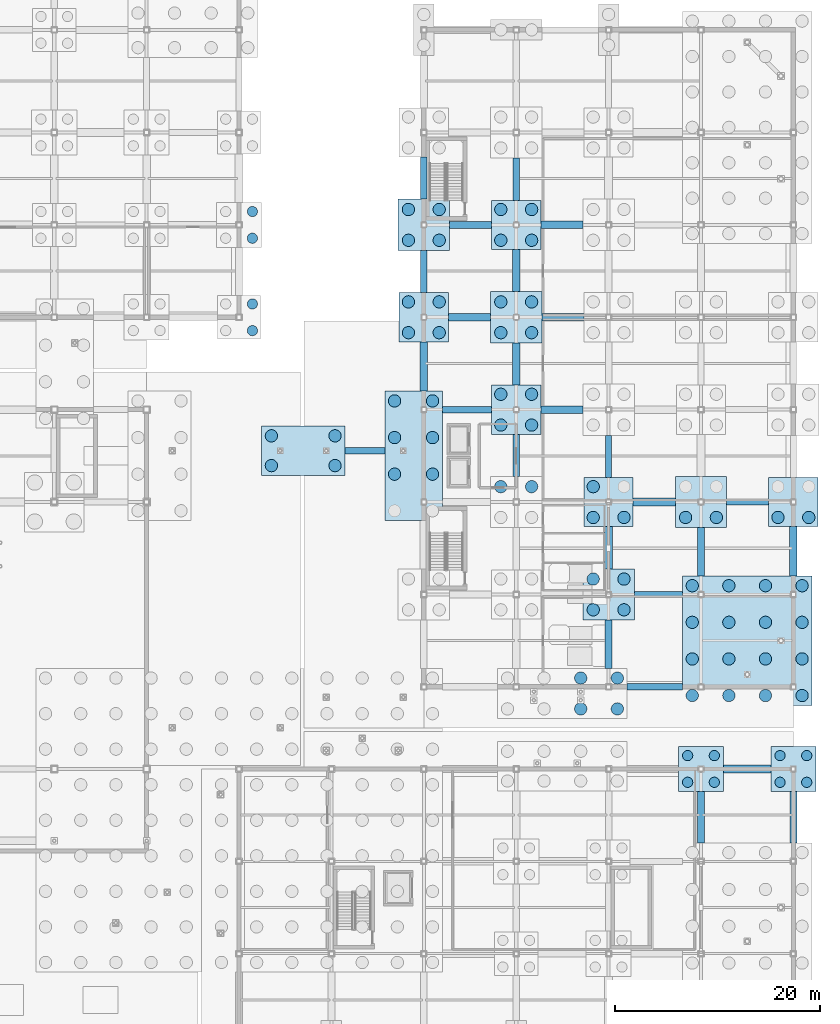
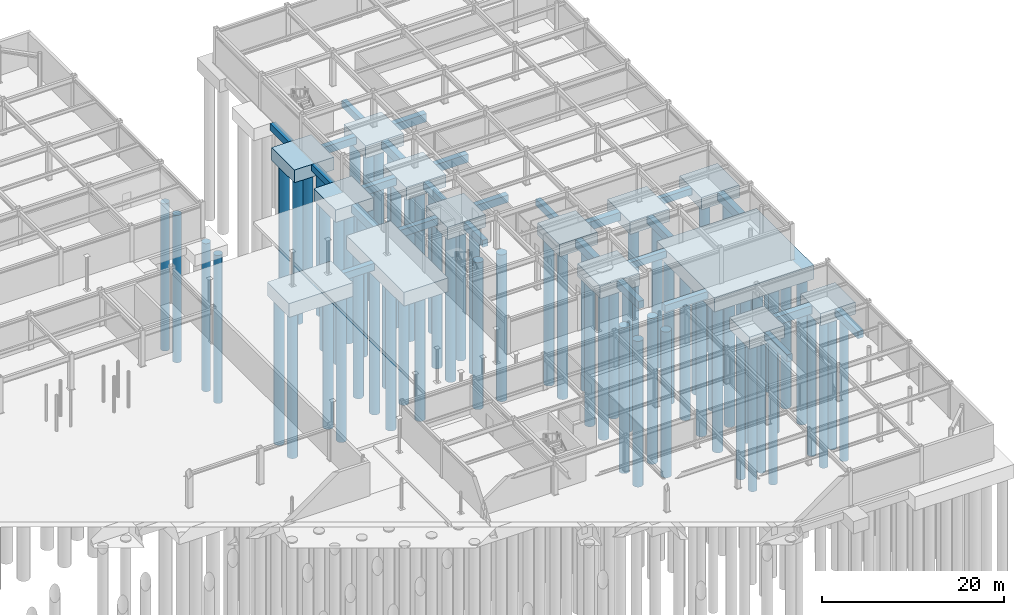
# One storey, part 10 of 74: 75 piles, 40 footings.
"""IFC4 building model written with IfcOpenShell, lengths in metres."""

from ifc_helpers import new_model, si_unit, direction, frame, origin, origin_2d, place, context, subcontext, project, spatial, polyline, rectangle, circle, outline, extrude, material, material_profile, profile_set, type_object, element, save


model = new_model("IFC4")

# Units and contexts
model_context = context("Model", 3, precision=1e-05, world=origin(), true_north=direction((0.0, 1.0)))
body_context = subcontext(model_context, "Body", "Model", "MODEL_VIEW")
ifc_project = project(units=[si_unit("LENGTHUNIT", "METRE"), si_unit("AREAUNIT", "SQUARE_METRE"), si_unit("VOLUMEUNIT", "CUBIC_METRE"), si_unit("PLANEANGLEUNIT", "RADIAN"), si_unit("MASSUNIT", "GRAM", prefix="KILO")], contexts=[model_context])

# Site, building, storey
site_placement = place(None, origin())
site = spatial("IfcSite", under=ifc_project, at=site_placement, CompositionType="ELEMENT")
building_placement = place(site_placement, origin())
building = spatial("IfcBuilding", under=site, at=building_placement, Name="Suzunagisa Mobility Hub", CompositionType="ELEMENT")
storey_placement = place(building_placement, frame((0.0, 0.0, -4.800048828125)))
storey = spatial("IfcBuildingStorey", under=building, at=storey_placement, Name="B1", CompositionType="ELEMENT", Elevation=-4.800048828125)

# Piles
ifc_material_1 = material(Name="Concrete C30/37", Category="concrete")
ifc_material_profile_1 = material_profile(ifc_material_1, circle(Radius=0.60009765625, at=origin_2d()), Name="BORED PILE D1200")
ifc_profile_set_1 = profile_set([ifc_material_profile_1], Name="Concrete C30/37")
pile_type_1 = type_object("IfcPileType", Name="Bored Pile PL-01 D1200", PredefinedType="BORED", material=ifc_profile_set_1)
for number, where, z_axis, x_axis, name in (
    (1, (129.14990234375, 65.550048828125, -2.119873046875), (0.0, 0.0, -1.0), (1.0, 0.0, 0.0), "Bored Pile 98.1"),
    (2, (129.14990234375, 68.449951171875, -2.119873046875), (0.0, 0.0, -1.0), (1.0, 0.0, 0.0), "Bored Pile 98.2"),
    (3, (135.35009765625, 65.550048828125, -2.119873046875), (0.0, 0.0, -1.0), (1.0, 0.0, 0.0), "Bored Pile 98.3"),
    (4, (135.35009765625, 68.449951171875, -2.119873046875), (0.0, 0.0, -1.0), (1.0, 0.0, 0.0), "Bored Pile 98.4"),
):
    element("IfcPile", number, at=place(storey_placement, frame(where, z_axis=z_axis, x_axis=x_axis)), inside=storey, type_object=pile_type_1, Name=name, PredefinedType="BORED", context=body_context, shape_type="SweptSolid", body=[
        extrude(circle(Radius=0.60009765625, at=origin_2d()), origin(), (0.0, 0.0, 1.0), 19.580078125),
    ])
for number, where, z_axis, x_axis, name in (
    (5, (141.14990234375, 64.716796875, -2.14990234375), (0.0, 0.0, -1.0), (1.0, 0.0, 0.0), "Bored Pile 101.2"),
    (6, (141.14990234375, 68.283203125, -2.14990234375), (0.0, 0.0, -1.0), (1.0, 0.0, 0.0), "Bored Pile 101.3"),
    (7, (141.14990234375, 71.85009765625, -2.14990234375), (0.0, 0.0, -1.0), (1.0, 0.0, 0.0), "Bored Pile 101.4"),
    (8, (144.85009765625, 64.716796875, -2.14990234375), (0.0, 0.0, -1.0), (1.0, 0.0, 0.0), "Bored Pile 101.6"),
    (9, (144.85009765625, 68.283203125, -2.14990234375), (0.0, 0.0, -1.0), (1.0, 0.0, 0.0), "Bored Pile 101.7"),
    (10, (144.85009765625, 71.85009765625, -2.14990234375), (0.0, 0.0, -1.0), (1.0, 0.0, 0.0), "Bored Pile 101.8"),
):
    element("IfcPile", number, at=place(storey_placement, frame(where, z_axis=z_axis, x_axis=x_axis)), inside=storey, type_object=pile_type_1, Name=name, PredefinedType="BORED", context=body_context, shape_type="SweptSolid", body=[
        extrude(circle(Radius=0.60009765625, at=origin_2d()), origin(), (0.0, 0.0, 1.0), 19.550048828125),
    ])
for number, where, z_axis, x_axis, name in (
    (11, (142.5, 78.5, -1.949951171875), (0.0, 0.0, -1.0), (1.0, 0.0, 0.0), "Bored Pile 105.1"),
    (12, (145.5, 78.5, -1.949951171875), (0.0, 0.0, -1.0), (1.0, 0.0, 0.0), "Bored Pile 105.2"),
    (13, (142.5, 81.5, -1.949951171875), (0.0, 0.0, -1.0), (1.0, 0.0, 0.0), "Bored Pile 105.3"),
    (14, (145.5, 81.5, -1.949951171875), (0.0, 0.0, -1.0), (1.0, 0.0, 0.0), "Bored Pile 105.4"),
):
    element("IfcPile", number, at=place(storey_placement, frame(where, z_axis=z_axis, x_axis=x_axis)), inside=storey, type_object=pile_type_1, Name=name, PredefinedType="BORED", context=body_context, shape_type="SweptSolid", body=[
        extrude(circle(Radius=0.60009765625, at=origin_2d()), origin(), (0.0, 0.0, 1.0), 19.75),
    ])
for number, where, z_axis, x_axis, name in (
    (15, (142.5, 87.5, -2.0), (0.0, 0.0, -1.0), (1.0, 0.0, 0.0), "Bored Pile 106.1"),
    (16, (145.5, 87.5, -2.0), (0.0, 0.0, -1.0), (1.0, 0.0, 0.0), "Bored Pile 106.2"),
    (17, (142.5, 90.5, -2.0), (0.0, 0.0, -1.0), (1.0, 0.0, 0.0), "Bored Pile 106.3"),
    (18, (145.5, 90.5, -2.0), (0.0, 0.0, -1.0), (1.0, 0.0, 0.0), "Bored Pile 106.4"),
):
    element("IfcPile", number, at=place(storey_placement, frame(where, z_axis=z_axis, x_axis=x_axis)), inside=storey, type_object=pile_type_1, Name=name, PredefinedType="BORED", context=body_context, shape_type="SweptSolid", body=[
        extrude(circle(Radius=0.60009765625, at=origin_2d()), origin(), (0.0, 0.0, 1.0), 19.699951171875),
    ])
for number, where, z_axis, x_axis, name in (
    (19, (159.283203125, 41.85009765625, -2.14990234375), (0.0, 0.0, -1.0), (1.0, 0.0, 0.0), "Bored Pile 114.5"),
    (20, (159.283203125, 44.85009765625, -2.14990234375), (0.0, 0.0, -1.0), (1.0, 0.0, 0.0), "Bored Pile 114.6"),
    (21, (162.85009765625, 41.85009765625, -2.14990234375), (0.0, 0.0, -1.0), (1.0, 0.0, 0.0), "Bored Pile 114.7"),
    (22, (162.85009765625, 44.85009765625, -2.14990234375), (0.0, 0.0, -1.0), (1.0, 0.0, 0.0), "Bored Pile 114.8"),
):
    element("IfcPile", number, at=place(storey_placement, frame(where, z_axis=z_axis, x_axis=x_axis)), inside=storey, type_object=pile_type_1, Name=name, PredefinedType="BORED", context=body_context, shape_type="SweptSolid", body=[
        extrude(circle(Radius=0.60009765625, at=origin_2d()), origin(), (0.0, 0.0, 1.0), 19.550048828125),
    ])
for number, where, z_axis, x_axis, name in (
    (23, (151.5, 63.5, -2.0), (0.0, 0.0, -1.0), (1.0, 0.0, 0.0), "Bored Pile 116.3"),
    (24, (154.5, 63.5, -2.0), (0.0, 0.0, -1.0), (1.0, 0.0, 0.0), "Bored Pile 116.4"),
):
    element("IfcPile", number, at=place(storey_placement, frame(where, z_axis=z_axis, x_axis=x_axis)), inside=storey, type_object=pile_type_1, Name=name, PredefinedType="BORED", context=body_context, shape_type="SweptSolid", body=[
        extrude(circle(Radius=0.60009765625, at=origin_2d()), origin(), (0.0, 0.0, 1.0), 19.699951171875),
    ])
for number, where, z_axis, x_axis, name in (
    (25, (151.5, 69.5, -1.949951171875), (0.0, 0.0, -1.0), (1.0, 0.0, 0.0), "Bored Pile 117.1"),
    (26, (154.5, 69.5, -1.949951171875), (0.0, 0.0, -1.0), (1.0, 0.0, 0.0), "Bored Pile 117.2"),
    (27, (151.5, 72.5, -1.949951171875), (0.0, 0.0, -1.0), (1.0, 0.0, 0.0), "Bored Pile 117.3"),
    (28, (154.5, 72.5, -1.949951171875), (0.0, 0.0, -1.0), (1.0, 0.0, 0.0), "Bored Pile 117.4"),
):
    element("IfcPile", number, at=place(storey_placement, frame(where, z_axis=z_axis, x_axis=x_axis)), inside=storey, type_object=pile_type_1, Name=name, PredefinedType="BORED", context=body_context, shape_type="SweptSolid", body=[
        extrude(circle(Radius=0.60009765625, at=origin_2d()), origin(), (0.0, 0.0, 1.0), 19.75),
    ])
for number, where, z_axis, x_axis, name in (
    (29, (151.5, 78.5, -2.0), (0.0, 0.0, -1.0), (1.0, 0.0, 0.0), "Bored Pile 118.1"),
    (30, (154.5, 78.5, -2.0), (0.0, 0.0, -1.0), (1.0, 0.0, 0.0), "Bored Pile 118.2"),
    (31, (151.5, 81.5, -2.0), (0.0, 0.0, -1.0), (1.0, 0.0, 0.0), "Bored Pile 118.3"),
    (32, (154.5, 81.5, -2.0), (0.0, 0.0, -1.0), (1.0, 0.0, 0.0), "Bored Pile 118.4"),
):
    element("IfcPile", number, at=place(storey_placement, frame(where, z_axis=z_axis, x_axis=x_axis)), inside=storey, type_object=pile_type_1, Name=name, PredefinedType="BORED", context=body_context, shape_type="SweptSolid", body=[
        extrude(circle(Radius=0.60009765625, at=origin_2d()), origin(), (0.0, 0.0, 1.0), 19.699951171875),
    ])
for number, where, z_axis, x_axis, name in (
    (33, (151.5, 87.5, -1.949951171875), (0.0, 0.0, -1.0), (1.0, 0.0, 0.0), "Bored Pile 119.1"),
    (34, (154.5, 87.5, -1.949951171875), (0.0, 0.0, -1.0), (1.0, 0.0, 0.0), "Bored Pile 119.2"),
    (35, (151.5, 90.5, -1.949951171875), (0.0, 0.0, -1.0), (1.0, 0.0, 0.0), "Bored Pile 119.3"),
    (36, (154.5, 90.5, -1.949951171875), (0.0, 0.0, -1.0), (1.0, 0.0, 0.0), "Bored Pile 119.4"),
):
    element("IfcPile", number, at=place(storey_placement, frame(where, z_axis=z_axis, x_axis=x_axis)), inside=storey, type_object=pile_type_1, Name=name, PredefinedType="BORED", context=body_context, shape_type="SweptSolid", body=[
        extrude(circle(Radius=0.60009765625, at=origin_2d()), origin(), (0.0, 0.0, 1.0), 19.75),
    ])
for number, where, z_axis, x_axis, name in (
    (37, (160.5, 51.5, -2.0), (0.0, 0.0, -1.0), (1.0, 0.0, 0.0), "Bored Pile 126.1"),
    (38, (163.5, 51.5, -2.0), (0.0, 0.0, -1.0), (1.0, 0.0, 0.0), "Bored Pile 126.2"),
    (39, (160.5, 54.5, -2.0), (0.0, 0.0, -1.0), (1.0, 0.0, 0.0), "Bored Pile 126.3"),
    (40, (163.5, 54.5, -2.0), (0.0, 0.0, -1.0), (1.0, 0.0, 0.0), "Bored Pile 126.4"),
):
    element("IfcPile", number, at=place(storey_placement, frame(where, z_axis=z_axis, x_axis=x_axis)), inside=storey, type_object=pile_type_1, Name=name, PredefinedType="BORED", context=body_context, shape_type="SweptSolid", body=[
        extrude(circle(Radius=0.60009765625, at=origin_2d()), origin(), (0.0, 0.0, 1.0), 19.699951171875),
    ])
for number, where, z_axis, x_axis, name in (
    (41, (160.5, 60.5, -1.949951171875), (0.0, 0.0, -1.0), (1.0, 0.0, 0.0), "Bored Pile 127.1"),
    (42, (163.5, 60.5, -1.949951171875), (0.0, 0.0, -1.0), (1.0, 0.0, 0.0), "Bored Pile 127.2"),
    (43, (160.5, 63.5, -1.949951171875), (0.0, 0.0, -1.0), (1.0, 0.0, 0.0), "Bored Pile 127.3"),
):
    element("IfcPile", number, at=place(storey_placement, frame(where, z_axis=z_axis, x_axis=x_axis)), inside=storey, type_object=pile_type_1, Name=name, PredefinedType="BORED", context=body_context, shape_type="SweptSolid", body=[
        extrude(circle(Radius=0.60009765625, at=origin_2d()), origin(), (0.0, 0.0, 1.0), 19.75),
    ])
for number, where, z_axis, x_axis, name in (
    (44, (170.14990234375, 43.14990234375, -2.14990234375), (0.0, 0.0, -1.0), (1.0, 0.0, 0.0), "Bored Pile 135.1"),
    (45, (170.14990234375, 46.716796875, -2.14990234375), (0.0, 0.0, -1.0), (1.0, 0.0, 0.0), "Bored Pile 135.2"),
    (46, (170.14990234375, 50.283203125, -2.14990234375), (0.0, 0.0, -1.0), (1.0, 0.0, 0.0), "Bored Pile 135.3"),
    (47, (170.14990234375, 53.85009765625, -2.14990234375), (0.0, 0.0, -1.0), (1.0, 0.0, 0.0), "Bored Pile 135.4"),
    (48, (173.716796875, 43.14990234375, -2.14990234375), (0.0, 0.0, -1.0), (1.0, 0.0, 0.0), "Bored Pile 135.5"),
    (49, (173.716796875, 46.716796875, -2.14990234375), (0.0, 0.0, -1.0), (1.0, 0.0, 0.0), "Bored Pile 135.6"),
    (50, (173.716796875, 50.283203125, -2.14990234375), (0.0, 0.0, -1.0), (1.0, 0.0, 0.0), "Bored Pile 135.7"),
    (51, (173.716796875, 53.85009765625, -2.14990234375), (0.0, 0.0, -1.0), (1.0, 0.0, 0.0), "Bored Pile 135.8"),
    (52, (177.283203125, 43.14990234375, -2.14990234375), (0.0, 0.0, -1.0), (1.0, 0.0, 0.0), "Bored Pile 135.9"),
    (53, (177.283203125, 46.716796875, -2.14990234375), (0.0, 0.0, -1.0), (1.0, 0.0, 0.0), "Bored Pile 135.10"),
    (54, (177.283203125, 50.283203125, -2.14990234375), (0.0, 0.0, -1.0), (1.0, 0.0, 0.0), "Bored Pile 135.11"),
    (55, (177.283203125, 53.85009765625, -2.14990234375), (0.0, 0.0, -1.0), (1.0, 0.0, 0.0), "Bored Pile 135.12"),
    (56, (180.85009765625, 43.14990234375, -2.14990234375), (0.0, 0.0, -1.0), (1.0, 0.0, 0.0), "Bored Pile 135.13"),
    (57, (180.85009765625, 46.716796875, -2.14990234375), (0.0, 0.0, -1.0), (1.0, 0.0, 0.0), "Bored Pile 135.14"),
    (58, (180.85009765625, 50.283203125, -2.14990234375), (0.0, 0.0, -1.0), (1.0, 0.0, 0.0), "Bored Pile 135.15"),
    (59, (180.85009765625, 53.85009765625, -2.14990234375), (0.0, 0.0, -1.0), (1.0, 0.0, 0.0), "Bored Pile 135.16"),
):
    element("IfcPile", number, at=place(storey_placement, frame(where, z_axis=z_axis, x_axis=x_axis)), inside=storey, type_object=pile_type_1, Name=name, PredefinedType="BORED", context=body_context, shape_type="SweptSolid", body=[
        extrude(circle(Radius=0.60009765625, at=origin_2d()), origin(), (0.0, 0.0, 1.0), 19.550048828125),
    ])
for number, where, z_axis, x_axis, name in (
    (60, (169.5, 60.5, -2.0), (0.0, 0.0, -1.0), (1.0, 0.0, 0.0), "Bored Pile 136.1"),
    (61, (172.5, 60.5, -2.0), (0.0, 0.0, -1.0), (1.0, 0.0, 0.0), "Bored Pile 136.2"),
):
    element("IfcPile", number, at=place(storey_placement, frame(where, z_axis=z_axis, x_axis=x_axis)), inside=storey, type_object=pile_type_1, Name=name, PredefinedType="BORED", context=body_context, shape_type="SweptSolid", body=[
        extrude(circle(Radius=0.60009765625, at=origin_2d()), origin(), (0.0, 0.0, 1.0), 19.699951171875),
    ])
for number, where, z_axis, x_axis, name in (
    (62, (178.5, 60.5, -1.949951171875), (0.0, 0.0, -1.0), (1.0, 0.0, 0.0), "Bored Pile 141.1"),
    (63, (181.5, 60.5, -1.949951171875), (0.0, 0.0, -1.0), (1.0, 0.0, 0.0), "Bored Pile 141.2"),
):
    element("IfcPile", number, at=place(storey_placement, frame(where, z_axis=z_axis, x_axis=x_axis)), inside=storey, type_object=pile_type_1, Name=name, PredefinedType="BORED", context=body_context, shape_type="SweptSolid", body=[
        extrude(circle(Radius=0.60009765625, at=origin_2d()), origin(), (0.0, 0.0, 1.0), 19.75),
    ])
ifc_material_profile_2 = material_profile(ifc_material_1, circle(Radius=0.5, at=origin_2d()), Name="BORED PILE D1000")
ifc_profile_set_2 = profile_set([ifc_material_profile_2], Name="Concrete C30/37")
pile_type_2 = type_object("IfcPileType", Name="Bored Pile PL-02 D1000", PredefinedType="BORED", material=ifc_profile_set_2)
for number, where, z_axis, x_axis, name in (
    (64, (127.300048828125, 78.699951171875, -1.849853515625), (0.0, 0.0, -1.0), (1.0, 0.0, 0.0), "Bored Pile 95.2"),
    (65, (127.300048828125, 81.300048828125, -1.849853515625), (0.0, 0.0, -1.0), (1.0, 0.0, 0.0), "Bored Pile 95.4"),
):
    element("IfcPile", number, at=place(storey_placement, frame(where, z_axis=z_axis, x_axis=x_axis)), inside=storey, type_object=pile_type_2, Name=name, PredefinedType="BORED", context=body_context, shape_type="SweptSolid", body=[
        extrude(circle(Radius=0.5, at=origin_2d()), origin(), (0.0, 0.0, 1.0), 19.85009765625),
    ])
for number, where, z_axis, x_axis, name in (
    (66, (127.300048828125, 87.699951171875, -1.949951171875), (0.0, 0.0, -1.0), (1.0, 0.0, 0.0), "Bored Pile 96.2"),
    (67, (127.300048828125, 90.300048828125, -1.949951171875), (0.0, 0.0, -1.0), (1.0, 0.0, 0.0), "Bored Pile 96.4"),
):
    element("IfcPile", number, at=place(storey_placement, frame(where, z_axis=z_axis, x_axis=x_axis)), inside=storey, type_object=pile_type_2, Name=name, PredefinedType="BORED", context=body_context, shape_type="SweptSolid", body=[
        extrude(circle(Radius=0.5, at=origin_2d()), origin(), (0.0, 0.0, 1.0), 19.75),
    ])
for number, where, z_axis, x_axis, name in (
    (68, (169.699951171875, 34.699951171875, -1.89990234375), (0.0, 0.0, -1.0), (1.0, 0.0, 0.0), "Bored Pile 134.1"),
    (69, (172.300048828125, 34.699951171875, -1.89990234375), (0.0, 0.0, -1.0), (1.0, 0.0, 0.0), "Bored Pile 134.2"),
    (70, (169.699951171875, 37.300048828125, -1.89990234375), (0.0, 0.0, -1.0), (1.0, 0.0, 0.0), "Bored Pile 134.3"),
    (71, (172.300048828125, 37.300048828125, -1.89990234375), (0.0, 0.0, -1.0), (1.0, 0.0, 0.0), "Bored Pile 134.4"),
    (72, (178.699951171875, 34.699951171875, -1.89990234375), (0.0, 0.0, -1.0), (1.0, 0.0, 0.0), "Bored Pile 140.1"),
    (73, (181.300048828125, 34.699951171875, -1.89990234375), (0.0, 0.0, -1.0), (1.0, 0.0, 0.0), "Bored Pile 140.2"),
    (74, (178.699951171875, 37.300048828125, -1.89990234375), (0.0, 0.0, -1.0), (1.0, 0.0, 0.0), "Bored Pile 140.3"),
    (75, (181.300048828125, 37.300048828125, -1.89990234375), (0.0, 0.0, -1.0), (1.0, 0.0, 0.0), "Bored Pile 140.4"),
):
    element("IfcPile", number, at=place(storey_placement, frame(where, z_axis=z_axis, x_axis=x_axis)), inside=storey, type_object=pile_type_2, Name=name, PredefinedType="BORED", context=body_context, shape_type="SweptSolid", body=[
        extrude(circle(Radius=0.5, at=origin_2d()), origin(), (0.0, 0.0, 1.0), 19.800048828125),
    ])

# Footings
ifc_material_2 = material(Name="Concrete C35/45", Category="concrete")
footing_type_1 = type_object("IfcFootingType", Name="Combined Prow Pile Cap FR-11 5600x12600x1850", PredefinedType="PILE_CAP", material=ifc_material_2)
footing_1_placement = place(storey_placement, frame((143.0, 66.5, -2.300048828125), z_axis=(0.0, 0.0, 1.0), x_axis=(1.0, 0.0, 0.0)))
element("IfcFooting", 76, at=footing_1_placement, inside=storey, type_object=footing_type_1, Name="Combined Prow Pile Cap 101", PredefinedType="PILE_CAP", context=body_context, shape_type="SweptSolid", body=[
    extrude(rectangle(XDim=5.60009765625, YDim=12.60009765625, at=origin_2d()), origin(), (0.0, 0.0, 1.0), 1.85009765625),
])
footing_type_2 = type_object("IfcFootingType", Name="Combined Prow Pile Cap FR-12 12600x12600x1850", PredefinedType="PILE_CAP", material=ifc_material_2)
footing_2_placement = place(storey_placement, frame((175.5, 48.5, -2.300048828125), z_axis=(0.0, 0.0, 1.0), x_axis=(1.0, 0.0, 0.0)))
element("IfcFooting", 77, at=footing_2_placement, inside=storey, type_object=footing_type_2, Name="Combined Prow Pile Cap 135", PredefinedType="PILE_CAP", context=body_context, shape_type="SweptSolid", body=[
    extrude(rectangle(XDim=12.60009765625, YDim=12.60009765625, at=origin_2d()), origin(), (0.0, 0.0, 1.0), 1.85009765625),
])
footing_type_3 = type_object("IfcFootingType", Name="Combined Prow Pile Cap FR-21 8100x4800x1850", PredefinedType="PILE_CAP", material=ifc_material_2)
footing_3_placement = place(storey_placement, frame((132.25, 67.0, -2.27001953125), z_axis=(0.0, 0.0, 1.0), x_axis=(1.0, 0.0, 0.0)))
element("IfcFooting", 78, at=footing_3_placement, inside=storey, type_object=footing_type_3, Name="Combined Prow Pile Cap 98", PredefinedType="PILE_CAP", context=body_context, shape_type="SweptSolid", body=[
    extrude(rectangle(XDim=8.10009765625, YDim=4.800048828125, at=origin_2d()), origin(), (0.0, 0.0, 1.0), 1.85009765625),
])
footing_type_4 = type_object("IfcFootingType", Name="Ground Tie Beam FT-03 750x1100", PredefinedType="FOOTING_BEAM", material=ifc_material_2)
footing_4_placement = place(storey_placement, frame((0.0, 0.0, -1.550048828125)))
element("IfcFooting", 79, at=footing_4_placement, inside=storey, type_object=footing_type_4, Name="Foundation Tie Beam TBX-48", PredefinedType="FOOTING_BEAM", context=body_context, shape_type="SweptSolid", body=[
    extrude(outline(polyline([(173.199951171875, 35.625), (177.800048828125, 35.625), (177.800048828125, 36.375), (173.199951171875, 36.375), (173.199951171875, 35.625)])), origin(), (0.0, 0.0, 1.0), 1.10009765625),
])
footing_5_placement = place(storey_placement, frame((0.0, 0.0, -1.550048828125)))
element("IfcFooting", 80, at=footing_5_placement, inside=storey, type_object=footing_type_4, Name="Foundation Tie Beam TBX-76", PredefinedType="FOOTING_BEAM", context=body_context, shape_type="SweptSolid", body=[
    extrude(outline(polyline([(164.39990234375, 61.625), (168.5, 61.625), (168.5, 62.375), (164.39990234375, 62.375), (164.39990234375, 61.625)])), origin(), (0.0, 0.0, 1.0), 1.10009765625),
])
footing_6_placement = place(storey_placement, frame((0.0, 0.0, -1.550048828125)))
element("IfcFooting", 81, at=footing_6_placement, inside=storey, type_object=footing_type_4, Name="Foundation Tie Beam TBX-100", PredefinedType="FOOTING_BEAM", context=body_context, shape_type="SweptSolid", body=[
    extrude(outline(polyline([(155.5, 79.625), (159.60009765625, 79.625), (159.60009765625, 80.375), (155.5, 80.375), (155.5, 79.625)])), origin(), (0.0, 0.0, 1.0), 1.10009765625),
])
footing_7_placement = place(storey_placement, frame((0.0, 0.0, -1.550048828125)))
element("IfcFooting", 82, at=footing_7_placement, inside=storey, type_object=footing_type_4, Name="Foundation Tie Beam TBX-112", PredefinedType="FOOTING_BEAM", context=body_context, shape_type="SweptSolid", body=[
    extrude(outline(polyline([(155.39990234375, 88.625), (159.5, 88.625), (159.5, 89.375), (155.39990234375, 89.375), (155.39990234375, 88.625)])), origin(), (0.0, 0.0, 1.0), 1.10009765625),
])
footing_8_placement = place(storey_placement, frame((0.0, 0.0, -1.550048828125)))
element("IfcFooting", 83, at=footing_8_placement, inside=storey, type_object=footing_type_4, Name="Foundation Tie Beam TBY-228", PredefinedType="FOOTING_BEAM", context=body_context, shape_type="SweptSolid", body=[
    extrude(outline(polyline([(143.625, 72.800048828125), (144.375, 72.800048828125), (144.375, 77.60009765625), (143.625, 77.60009765625), (143.625, 72.800048828125)])), origin(), (0.0, 0.0, 1.0), 1.10009765625),
])
footing_9_placement = place(storey_placement, frame((0.0, 0.0, -1.550048828125)))
element("IfcFooting", 84, at=footing_9_placement, inside=storey, type_object=footing_type_4, Name="Foundation Tie Beam TBY-240", PredefinedType="FOOTING_BEAM", context=body_context, shape_type="SweptSolid", body=[
    extrude(outline(polyline([(152.625, 82.5), (153.375, 82.5), (153.375, 86.60009765625), (152.625, 86.60009765625), (152.625, 82.5)])), origin(), (0.0, 0.0, 1.0), 1.10009765625),
])
footing_10_placement = place(storey_placement, frame((0.0, 0.0, -1.550048828125)))
element("IfcFooting", 85, at=footing_10_placement, inside=storey, type_object=footing_type_4, Name="Foundation Tie Beam TBY-248", PredefinedType="FOOTING_BEAM", context=body_context, shape_type="SweptSolid", body=[
    extrude(outline(polyline([(161.625, 55.5), (162.375, 55.5), (162.375, 59.60009765625), (161.625, 59.60009765625), (161.625, 55.5)])), origin(), (0.0, 0.0, 1.0), 1.10009765625),
])
footing_11_placement = place(storey_placement, frame((0.0, 0.0, -1.550048828125)))
element("IfcFooting", 86, at=footing_11_placement, inside=storey, type_object=footing_type_4, Name="Foundation Tie Beam TBY-260", PredefinedType="FOOTING_BEAM", context=body_context, shape_type="SweptSolid", body=[
    extrude(outline(polyline([(179.625, 54.800048828125), (180.375, 54.800048828125), (180.375, 59.60009765625), (179.625, 59.60009765625), (179.625, 54.800048828125)])), origin(), (0.0, 0.0, 1.0), 1.10009765625),
])
footing_type_5 = type_object("IfcFootingType", Name="Ground Tie Beam FT-05 600x900", PredefinedType="FOOTING_BEAM", material=ifc_material_2)
footing_12_placement = place(storey_placement, frame((0.0, 0.0, -1.349853515625)))
element("IfcFooting", 87, at=footing_12_placement, inside=storey, type_object=footing_type_5, Name="Foundation Tie Beam TBX-61", PredefinedType="FOOTING_BEAM", context=body_context, shape_type="SweptSolid", body=[
    extrude(outline(polyline([(164.5, 52.699951171875), (169.199951171875, 52.699951171875), (169.199951171875, 53.300048828125), (164.5, 53.300048828125), (164.5, 52.699951171875)])), origin(), (0.0, 0.0, 1.0), 0.89990234375),
])
footing_13_placement = place(storey_placement, frame((0.0, 0.0, -1.349853515625)))
element("IfcFooting", 88, at=footing_13_placement, inside=storey, type_object=footing_type_5, Name="Foundation Tie Beam TBX-77", PredefinedType="FOOTING_BEAM", context=body_context, shape_type="SweptSolid", body=[
    extrude(outline(polyline([(173.5, 61.699951171875), (177.60009765625, 61.699951171875), (177.60009765625, 62.300048828125), (173.5, 62.300048828125), (173.5, 61.699951171875)])), origin(), (0.0, 0.0, 1.0), 0.89990234375),
])
footing_14_placement = place(storey_placement, frame((0.0, 0.0, -1.349853515625)))
element("IfcFooting", 89, at=footing_14_placement, inside=storey, type_object=footing_type_5, Name="Foundation Tie Beam TBY-229", PredefinedType="FOOTING_BEAM", context=body_context, shape_type="SweptSolid", body=[
    extrude(outline(polyline([(143.699951171875, 82.39990234375), (144.300048828125, 82.39990234375), (144.300048828125, 86.5), (143.699951171875, 86.5), (143.699951171875, 82.39990234375)])), origin(), (0.0, 0.0, 1.0), 0.89990234375),
])
footing_15_placement = place(storey_placement, frame((0.0, 0.0, -1.349853515625)))
element("IfcFooting", 90, at=footing_15_placement, inside=storey, type_object=footing_type_5, Name="Foundation Tie Beam TBY-241", PredefinedType="FOOTING_BEAM", context=body_context, shape_type="SweptSolid", body=[
    extrude(outline(polyline([(152.699951171875, 91.39990234375), (153.300048828125, 91.39990234375), (153.300048828125, 95.5), (152.699951171875, 95.5), (152.699951171875, 91.39990234375)])), origin(), (0.0, 0.0, 1.0), 0.89990234375),
])
footing_16_placement = place(storey_placement, frame((0.0, 0.0, -1.349853515625)))
element("IfcFooting", 91, at=footing_16_placement, inside=storey, type_object=footing_type_5, Name="Foundation Tie Beam TBY-249", PredefinedType="FOOTING_BEAM", context=body_context, shape_type="SweptSolid", body=[
    extrude(outline(polyline([(161.699951171875, 64.39990234375), (162.300048828125, 64.39990234375), (162.300048828125, 68.5), (161.699951171875, 68.5), (161.699951171875, 64.39990234375)])), origin(), (0.0, 0.0, 1.0), 0.89990234375),
])
footing_type_6 = type_object("IfcFootingType", Name="Ground Tie Beam FT-07 650x950", PredefinedType="FOOTING_BEAM", material=ifc_material_2)
footing_17_placement = place(storey_placement, frame((0.0, 0.0, -1.39990234375)))
element("IfcFooting", 92, at=footing_17_placement, inside=storey, type_object=footing_type_6, Name="Foundation Tie Beam TBX-54", PredefinedType="FOOTING_BEAM", context=body_context, shape_type="SweptSolid", body=[
    extrude(outline(polyline([(163.800048828125, 43.675048828125), (169.199951171875, 43.675048828125), (169.199951171875, 44.324951171875), (163.800048828125, 44.324951171875), (163.800048828125, 43.675048828125)])), origin(), (0.0, 0.0, 1.0), 0.949951171875),
])
footing_18_placement = place(storey_placement, frame((0.0, 0.0, -1.39990234375)))
element("IfcFooting", 93, at=footing_18_placement, inside=storey, type_object=footing_type_6, Name="Foundation Tie Beam TBX-78", PredefinedType="FOOTING_BEAM", context=body_context, shape_type="SweptSolid", body=[
    extrude(outline(polyline([(136.300048828125, 66.675048828125), (140.199951171875, 66.675048828125), (140.199951171875, 67.324951171875), (136.300048828125, 67.324951171875), (136.300048828125, 66.675048828125)])), origin(), (0.0, 0.0, 1.0), 0.949951171875),
])
footing_19_placement = place(storey_placement, frame((0.0, 0.0, -1.39990234375)))
element("IfcFooting", 94, at=footing_19_placement, inside=storey, type_object=footing_type_6, Name="Foundation Tie Beam TBX-86", PredefinedType="FOOTING_BEAM", context=body_context, shape_type="SweptSolid", body=[
    extrude(outline(polyline([(145.800048828125, 70.675048828125), (150.60009765625, 70.675048828125), (150.60009765625, 71.324951171875), (145.800048828125, 71.324951171875), (145.800048828125, 70.675048828125)])), origin(), (0.0, 0.0, 1.0), 0.949951171875),
])
footing_20_placement = place(storey_placement, frame((0.0, 0.0, -1.39990234375)))
element("IfcFooting", 95, at=footing_20_placement, inside=storey, type_object=footing_type_6, Name="Foundation Tie Beam TBY-230", PredefinedType="FOOTING_BEAM", context=body_context, shape_type="SweptSolid", body=[
    extrude(outline(polyline([(143.675048828125, 91.5), (144.324951171875, 91.5), (144.324951171875, 95.60009765625), (143.675048828125, 95.60009765625), (143.675048828125, 91.5)])), origin(), (0.0, 0.0, 1.0), 0.949951171875),
])
footing_21_placement = place(storey_placement, frame((0.0, 0.0, -1.39990234375)))
element("IfcFooting", 96, at=footing_21_placement, inside=storey, type_object=footing_type_6, Name="Foundation Tie Beam TBY-238", PredefinedType="FOOTING_BEAM", context=body_context, shape_type="SweptSolid", body=[
    extrude(outline(polyline([(152.675048828125, 64.5), (153.324951171875, 64.5), (153.324951171875, 68.60009765625), (152.675048828125, 68.60009765625), (152.675048828125, 64.5)])), origin(), (0.0, 0.0, 1.0), 0.949951171875),
])
footing_22_placement = place(storey_placement, frame((0.0, 0.0, -1.39990234375)))
element("IfcFooting", 97, at=footing_22_placement, inside=storey, type_object=footing_type_6, Name="Foundation Tie Beam TBY-254", PredefinedType="FOOTING_BEAM", context=body_context, shape_type="SweptSolid", body=[
    extrude(outline(polyline([(170.675048828125, 28.800048828125), (171.324951171875, 28.800048828125), (171.324951171875, 33.800048828125), (170.675048828125, 33.800048828125), (170.675048828125, 28.800048828125)])), origin(), (0.0, 0.0, 1.0), 0.949951171875),
])
footing_type_7 = type_object("IfcFootingType", Name="Ground Tie Beam FT-23 700x1000", PredefinedType="FOOTING_BEAM", material=ifc_material_2)
footing_23_placement = place(storey_placement, frame((0.0, 0.0, -1.449951171875)))
element("IfcFooting", 98, at=footing_23_placement, inside=storey, type_object=footing_type_7, Name="Foundation Tie Beam TBX-87", PredefinedType="FOOTING_BEAM", context=body_context, shape_type="SweptSolid", body=[
    extrude(outline(polyline([(155.39990234375, 70.64990234375), (159.5, 70.64990234375), (159.5, 71.35009765625), (155.39990234375, 71.35009765625), (155.39990234375, 70.64990234375)])), origin(), (0.0, 0.0, 1.0), 1.0),
])
footing_24_placement = place(storey_placement, frame((0.0, 0.0, -1.449951171875)))
element("IfcFooting", 99, at=footing_24_placement, inside=storey, type_object=footing_type_7, Name="Foundation Tie Beam TBX-99", PredefinedType="FOOTING_BEAM", context=body_context, shape_type="SweptSolid", body=[
    extrude(outline(polyline([(146.39990234375, 79.64990234375), (150.5, 79.64990234375), (150.5, 80.35009765625), (146.39990234375, 80.35009765625), (146.39990234375, 79.64990234375)])), origin(), (0.0, 0.0, 1.0), 1.0),
])
footing_25_placement = place(storey_placement, frame((0.0, 0.0, -1.449951171875)))
element("IfcFooting", 100, at=footing_25_placement, inside=storey, type_object=footing_type_7, Name="Foundation Tie Beam TBX-111", PredefinedType="FOOTING_BEAM", context=body_context, shape_type="SweptSolid", body=[
    extrude(outline(polyline([(146.5, 88.64990234375), (150.60009765625, 88.64990234375), (150.60009765625, 89.35009765625), (146.5, 89.35009765625), (146.5, 88.64990234375)])), origin(), (0.0, 0.0, 1.0), 1.0),
])
footing_26_placement = place(storey_placement, frame((0.0, 0.0, -1.449951171875)))
element("IfcFooting", 101, at=footing_26_placement, inside=storey, type_object=footing_type_7, Name="Foundation Tie Beam TBY-239", PredefinedType="FOOTING_BEAM", context=body_context, shape_type="SweptSolid", body=[
    extrude(outline(polyline([(152.64990234375, 73.39990234375), (153.35009765625, 73.39990234375), (153.35009765625, 77.5), (152.64990234375, 77.5), (152.64990234375, 73.39990234375)])), origin(), (0.0, 0.0, 1.0), 1.0),
])
footing_27_placement = place(storey_placement, frame((0.0, 0.0, -1.449951171875)))
element("IfcFooting", 102, at=footing_27_placement, inside=storey, type_object=footing_type_7, Name="Foundation Tie Beam TBY-247", PredefinedType="FOOTING_BEAM", context=body_context, shape_type="SweptSolid", body=[
    extrude(outline(polyline([(161.64990234375, 45.800048828125), (162.35009765625, 45.800048828125), (162.35009765625, 50.5), (161.64990234375, 50.5), (161.64990234375, 45.800048828125)])), origin(), (0.0, 0.0, 1.0), 1.0),
])
footing_28_placement = place(storey_placement, frame((0.0, 0.0, -1.449951171875)))
element("IfcFooting", 103, at=footing_28_placement, inside=storey, type_object=footing_type_7, Name="Foundation Tie Beam TBY-255", PredefinedType="FOOTING_BEAM", context=body_context, shape_type="SweptSolid", body=[
    extrude(outline(polyline([(170.64990234375, 54.800048828125), (171.35009765625, 54.800048828125), (171.35009765625, 59.5), (170.64990234375, 59.5), (170.64990234375, 54.800048828125)])), origin(), (0.0, 0.0, 1.0), 1.0),
])
footing_29_placement = place(storey_placement, frame((0.0, 0.0, -1.449951171875)))
element("IfcFooting", 104, at=footing_29_placement, inside=storey, type_object=footing_type_7, Name="Foundation Tie Beam TBY-259", PredefinedType="FOOTING_BEAM", context=body_context, shape_type="SweptSolid", body=[
    extrude(outline(polyline([(179.64990234375, 28.800048828125), (180.35009765625, 28.800048828125), (180.35009765625, 33.800048828125), (179.64990234375, 33.800048828125), (179.64990234375, 28.800048828125)])), origin(), (0.0, 0.0, 1.0), 1.0),
])
footing_type_8 = type_object("IfcFootingType", Name="Pile Cap FT-01 5000x5000x1700", PredefinedType="PILE_CAP", material=ifc_material_2)
for number, where, z_axis, x_axis, name in (
    (105, (144.0, 89.0, -2.14990234375), (0.0, 0.0, 1.0), (1.0, 0.0, 0.0), "Pile Cap 106"),
    (106, (153.0, 80.0, -2.14990234375), (0.0, 0.0, 1.0), (1.0, 0.0, 0.0), "Pile Cap 118"),
    (107, (162.0, 53.0, -2.14990234375), (0.0, 0.0, 1.0), (1.0, 0.0, 0.0), "Pile Cap 126"),
    (108, (171.0, 62.0, -2.14990234375), (0.0, 0.0, 1.0), (1.0, 0.0, 0.0), "Pile Cap 136"),
):
    element("IfcFooting", number, at=place(storey_placement, frame(where, z_axis=z_axis, x_axis=x_axis)), inside=storey, type_object=footing_type_8, Name=name, PredefinedType="PILE_CAP", context=body_context, shape_type="SweptSolid", body=[
        extrude(rectangle(XDim=5.0, YDim=5.0, at=origin_2d()), origin(), (0.0, 0.0, 1.0), 1.699951171875),
    ])
footing_type_9 = type_object("IfcFootingType", Name="Pile Cap FT-14 4800x4800x1650", PredefinedType="PILE_CAP", material=ifc_material_2)
for number, where, z_axis, x_axis, name in (
    (109, (144.0, 80.0, -2.099853515625), (0.0, 0.0, 1.0), (1.0, 0.0, 0.0), "Pile Cap 105"),
    (110, (153.0, 71.0, -2.099853515625), (0.0, 0.0, 1.0), (1.0, 0.0, 0.0), "Pile Cap 117"),
    (111, (153.0, 89.0, -2.099853515625), (0.0, 0.0, 1.0), (1.0, 0.0, 0.0), "Pile Cap 119"),
    (112, (162.0, 62.0, -2.099853515625), (0.0, 0.0, 1.0), (1.0, 0.0, 0.0), "Pile Cap 127"),
    (113, (180.0, 62.0, -2.099853515625), (0.0, 0.0, 1.0), (1.0, 0.0, 0.0), "Pile Cap 141"),
):
    element("IfcFooting", number, at=place(storey_placement, frame(where, z_axis=z_axis, x_axis=x_axis)), inside=storey, type_object=footing_type_9, Name=name, PredefinedType="PILE_CAP", context=body_context, shape_type="SweptSolid", body=[
        extrude(rectangle(XDim=4.800048828125, YDim=4.800048828125, at=origin_2d()), origin(), (0.0, 0.0, 1.0), 1.64990234375),
    ])
footing_type_10 = type_object("IfcFootingType", Name="Pile Cap FT-16 4400x4400x1600", PredefinedType="PILE_CAP", material=ifc_material_2)
for number, where, z_axis, x_axis, name in (
    (114, (171.0, 36.0, -2.050048828125), (0.0, 0.0, 1.0), (1.0, 0.0, 0.0), "Pile Cap 134"),
    (115, (180.0, 36.0, -2.050048828125), (0.0, 0.0, 1.0), (1.0, 0.0, 0.0), "Pile Cap 140"),
):
    element("IfcFooting", number, at=place(storey_placement, frame(where, z_axis=z_axis, x_axis=x_axis)), inside=storey, type_object=footing_type_10, Name=name, PredefinedType="PILE_CAP", context=body_context, shape_type="SweptSolid", body=[
        extrude(rectangle(XDim=4.39990234375, YDim=4.39990234375, at=origin_2d()), origin(), (0.0, 0.0, 1.0), 1.60009765625),
    ])

save(model, "model.ifc")
